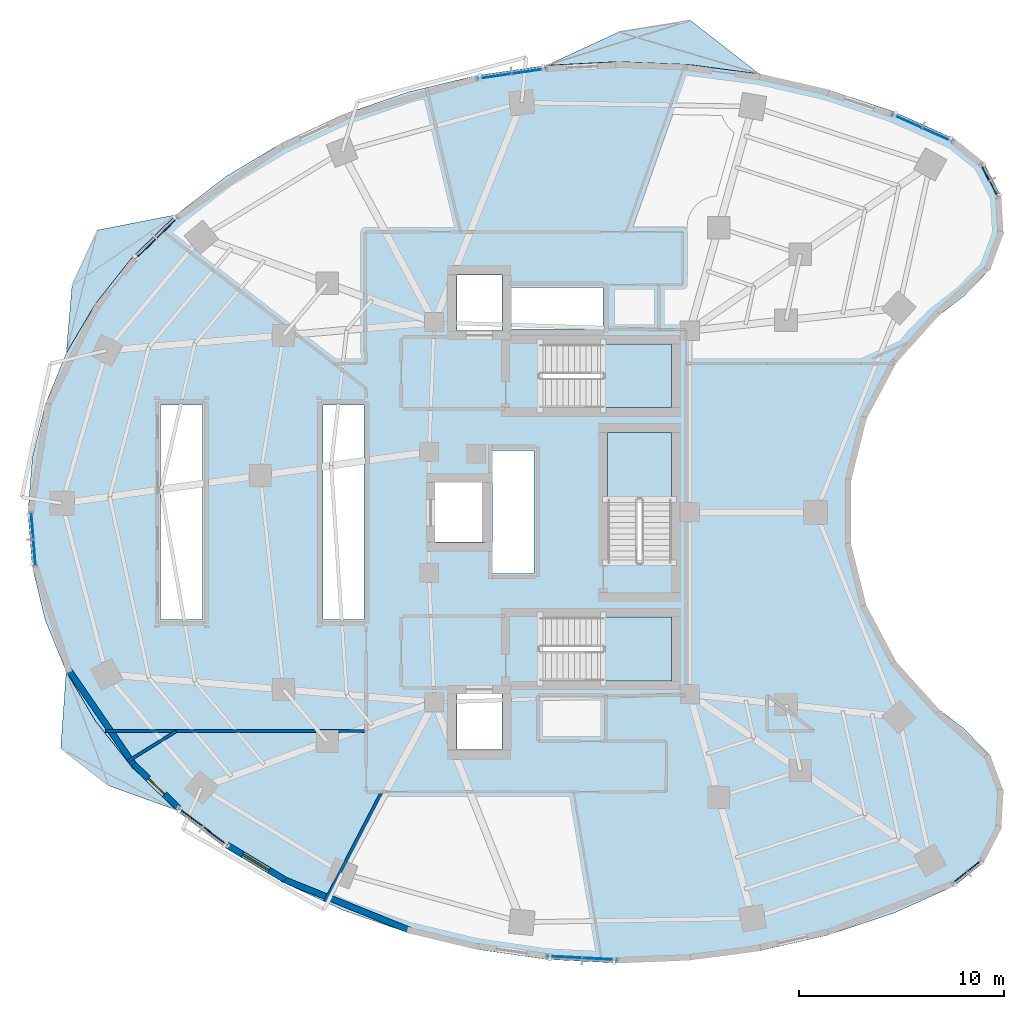
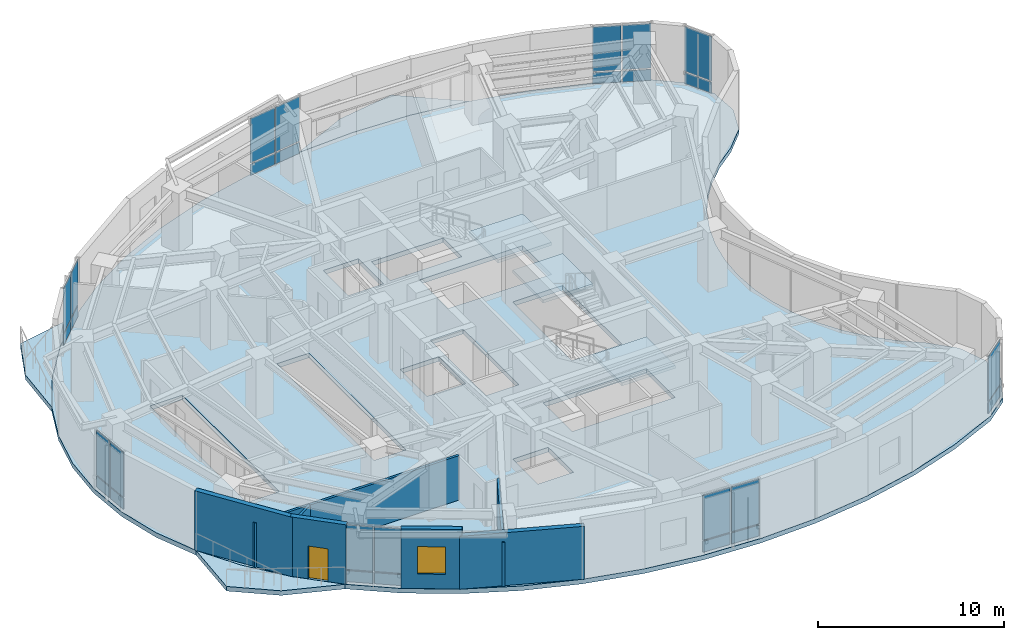
# One storey, part 7 of 14: 28 plates, 8 walls, 7 slabs, 1 door, 1 window, 2 openings, 11 elements without a shape of their own.
"""IFC4 building model written with IfcOpenShell, lengths in metres."""

from ifc_helpers import new_model, si_unit, direction, frame, frame_2d, origin, origin_2d, place, context, subcontext, project, spatial, polyline, rectangle, outline, extrude, material, layer, layer_set, type_object, element, fill, aggregate, save


model = new_model("IFC4")

# Units and contexts
model_context = context("Model", 3, precision=1e-05, world=origin(), true_north=direction((0.0, 1.0)))
body_context = subcontext(model_context, "Body", "Model", "MODEL_VIEW")
ifc_project = project(units=[si_unit("LENGTHUNIT", "METRE"), si_unit("AREAUNIT", "SQUARE_METRE"), si_unit("VOLUMEUNIT", "CUBIC_METRE"), si_unit("PLANEANGLEUNIT", "RADIAN"), si_unit("MASSUNIT", "GRAM", prefix="KILO")], contexts=[model_context])

# Site, building, storey
site_placement = place(None, origin())
site = spatial("IfcSite", under=ifc_project, at=site_placement, CompositionType="ELEMENT")
building_placement = place(site_placement, origin())
building = spatial("IfcBuilding", under=site, at=building_placement, Name="Korentha Bioscience Tower", CompositionType="ELEMENT")
storey_placement = place(building_placement, frame((0.0, 0.0, 132.0)))
storey = spatial("IfcBuildingStorey", under=building, at=storey_placement, Name="L30", CompositionType="ELEMENT", Elevation=132.0)

# Curtain wall, plates
ifc_material_1 = material(Name="Thermally Broken Aluminium Frame", Category="aluminium")
ifc_layer_1 = layer(ifc_material_1, 0.219970703125, Name="Thermally Broken Aluminium Frame")
ifc_layer_set_1 = layer_set([ifc_layer_1], Name="Thermally Broken Aluminium Frame (CW-T2)")
curtain_wall_type = type_object("IfcCurtainWallType", Name="Solar-Screened Lab Unitised Curtain Wall CW-T2", PredefinedType="USERDEFINED", material=ifc_layer_set_1)
curtain_wall_1_placement = place(storey_placement, origin())
curtain_wall_1 = element("IfcCurtainWall", 1, at=curtain_wall_1_placement, inside=storey, type_object=curtain_wall_type, Name="L30 Curtain Wall 01", ObjectType="UNITISED", PredefinedType="USERDEFINED")
ifc_material_2 = material(Name="Triple-Glazed Low-E Insulated Glass", Category="glass")
ifc_layer_2 = layer(ifc_material_2, 0.0439453125, Name="Triple-Glazed Low-E Insulated Glass")
ifc_layer_set_2 = layer_set([ifc_layer_2], Name="Triple-Glazed Low-E Insulated Glass (GL-44)")
plate_type = type_object("IfcPlateType", Name="Glazed Panel 44mm", PredefinedType="CURTAIN_PANEL", material=ifc_layer_set_2)
plate_1_placement = place(storey_placement, frame((49.61767578125, 45.385986328125, 0.08984375), z_axis=(0.0, 0.0, 1.0), x_axis=(-0.912686563127, 0.408660295952, 0.0)))
plate_1 = element("IfcPlate", 2, at=plate_1_placement, type_object=plate_type, Name="CW-L30-01 Bay 1 Glazed Panel 1", PredefinedType="CURTAIN_PANEL", context=body_context, shape_type="SweptSolid", body=[
    extrude(rectangle(XDim=1.54541015625, YDim=0.0439453125, at=origin_2d()), origin(), (0.0, 0.0, 1.0), 0.715087890625),
])
plate_2_placement = place(storey_placement, frame((49.61767578125, 45.385986328125, 0.89501953125), z_axis=(0.0, 0.0, 1.0), x_axis=(-0.912686563127, 0.408660295952, 0.0)))
plate_2 = element("IfcPlate", 3, at=plate_2_placement, type_object=plate_type, Name="CW-L30-01 Bay 1 Glazed Panel 2", PredefinedType="CURTAIN_PANEL", context=body_context, shape_type="SweptSolid", body=[
    extrude(rectangle(XDim=1.54541015625, YDim=0.0439453125, at=origin_2d()), origin(), (0.0, 0.0, 1.0), 2.9150390625),
])
plate_3_placement = place(storey_placement, frame((48.125, 46.05419921875, 0.08984375), z_axis=(0.0, 0.0, 1.0), x_axis=(-0.912686563127, 0.408660295952, 0.0)))
plate_3 = element("IfcPlate", 4, at=plate_3_placement, type_object=plate_type, Name="CW-L30-01 Bay 2 Glazed Panel 1", PredefinedType="CURTAIN_PANEL", context=body_context, shape_type="SweptSolid", body=[
    extrude(rectangle(XDim=1.54541015625, YDim=0.0439453125, at=origin_2d()), origin(), (0.0, 0.0, 1.0), 0.715087890625),
])
plate_4_placement = place(storey_placement, frame((48.125, 46.05419921875, 0.89501953125), z_axis=(0.0, 0.0, 1.0), x_axis=(-0.912686563127, 0.408660295952, 0.0)))
plate_4 = element("IfcPlate", 5, at=plate_4_placement, type_object=plate_type, Name="CW-L30-01 Bay 2 Glazed Panel 2", PredefinedType="CURTAIN_PANEL", context=body_context, shape_type="SweptSolid", body=[
    extrude(rectangle(XDim=1.54541015625, YDim=0.0439453125, at=origin_2d()), origin(), (0.0, 0.0, 1.0), 2.9150390625),
])
aggregate(curtain_wall_1, [plate_1, plate_2, plate_3, plate_4])

curtain_wall_2_placement = place(storey_placement, origin())
curtain_wall_2 = element("IfcCurtainWall", 6, at=curtain_wall_2_placement, inside=storey, type_object=curtain_wall_type, Name="L30 Curtain Wall 07", ObjectType="UNITISED", PredefinedType="USERDEFINED")
plate_5_placement = place(storey_placement, frame((29.724853515625, 48.486328125, 0.08984375), z_axis=(0.0, 0.0, 1.0), x_axis=(-0.989738282326, -0.14289203091, 0.0)))
plate_5 = element("IfcPlate", 7, at=plate_5_placement, type_object=plate_type, Name="CW-L30-07 Bay 1 Glazed Panel 1", PredefinedType="CURTAIN_PANEL", context=body_context, shape_type="SweptSolid", body=[
    extrude(rectangle(XDim=1.630615234375, YDim=0.0439453125, at=origin_2d()), origin(), (0.0, 0.0, 1.0), 0.715087890625),
])
plate_6_placement = place(storey_placement, frame((29.724853515625, 48.486328125, 0.89501953125), z_axis=(0.0, 0.0, 1.0), x_axis=(-0.989738282326, -0.14289203091, 0.0)))
plate_6 = element("IfcPlate", 8, at=plate_6_placement, type_object=plate_type, Name="CW-L30-07 Bay 1 Glazed Panel 2", PredefinedType="CURTAIN_PANEL", context=body_context, shape_type="SweptSolid", body=[
    extrude(rectangle(XDim=1.630615234375, YDim=0.0439453125, at=origin_2d()), origin(), (0.0, 0.0, 1.0), 2.9150390625),
])
plate_7_placement = place(storey_placement, frame((28.021728515625, 48.240478515625, 0.08984375), z_axis=(0.0, 0.0, 1.0), x_axis=(-0.989738282326, -0.14289203091, 0.0)))
plate_7 = element("IfcPlate", 9, at=plate_7_placement, type_object=plate_type, Name="CW-L30-07 Bay 2 Glazed Panel 1", PredefinedType="CURTAIN_PANEL", context=body_context, shape_type="SweptSolid", body=[
    extrude(rectangle(XDim=1.630615234375, YDim=0.0439453125, at=origin_2d()), origin(), (0.0, 0.0, 1.0), 0.715087890625),
])
plate_8_placement = place(storey_placement, frame((28.021728515625, 48.240478515625, 0.89501953125), z_axis=(0.0, 0.0, 1.0), x_axis=(-0.989738282326, -0.14289203091, 0.0)))
plate_8 = element("IfcPlate", 10, at=plate_8_placement, type_object=plate_type, Name="CW-L30-07 Bay 2 Glazed Panel 2", PredefinedType="CURTAIN_PANEL", context=body_context, shape_type="SweptSolid", body=[
    extrude(rectangle(XDim=1.630615234375, YDim=0.0439453125, at=origin_2d()), origin(), (0.0, 0.0, 1.0), 2.9150390625),
])
aggregate(curtain_wall_2, [plate_5, plate_6, plate_7, plate_8])

curtain_wall_3_placement = place(storey_placement, origin())
curtain_wall_3 = element("IfcCurtainWall", 11, at=curtain_wall_3_placement, inside=storey, type_object=curtain_wall_type, Name="L30 Curtain Wall 13", ObjectType="UNITISED", PredefinedType="USERDEFINED")
plate_9_placement = place(storey_placement, frame((12.09912109375, 40.858642578125, 0.08984375), z_axis=(0.0, 0.0, 1.0), x_axis=(-0.716095631804, -0.698002182025, 0.0)))
plate_9 = element("IfcPlate", 12, at=plate_9_placement, type_object=plate_type, Name="CW-L30-13 Bay 1 Glazed Panel 1", PredefinedType="CURTAIN_PANEL", context=body_context, shape_type="SweptSolid", body=[
    extrude(rectangle(XDim=1.39599609375, YDim=0.0439453125, at=origin_2d()), origin(), (0.0, 0.0, 1.0), 0.715087890625),
])
plate_10_placement = place(storey_placement, frame((12.09912109375, 40.858642578125, 0.89501953125), z_axis=(0.0, 0.0, 1.0), x_axis=(-0.716095631804, -0.698002182025, 0.0)))
plate_10 = element("IfcPlate", 13, at=plate_10_placement, type_object=plate_type, Name="CW-L30-13 Bay 1 Glazed Panel 2", PredefinedType="CURTAIN_PANEL", context=body_context, shape_type="SweptSolid", body=[
    extrude(rectangle(XDim=1.39599609375, YDim=0.0439453125, at=origin_2d()), origin(), (0.0, 0.0, 1.0), 2.9150390625),
])
plate_11_placement = place(storey_placement, frame((11.034912109375, 39.8212890625, 0.08984375), z_axis=(0.0, 0.0, 1.0), x_axis=(-0.716095631804, -0.698002182025, 0.0)))
plate_11 = element("IfcPlate", 14, at=plate_11_placement, type_object=plate_type, Name="CW-L30-13 Bay 2 Glazed Panel 1", PredefinedType="CURTAIN_PANEL", context=body_context, shape_type="SweptSolid", body=[
    extrude(rectangle(XDim=1.39599609375, YDim=0.0439453125, at=origin_2d()), origin(), (0.0, 0.0, 1.0), 0.715087890625),
])
plate_12_placement = place(storey_placement, frame((11.034912109375, 39.8212890625, 0.89501953125), z_axis=(0.0, 0.0, 1.0), x_axis=(-0.716095631804, -0.698002182025, 0.0)))
plate_12 = element("IfcPlate", 15, at=plate_12_placement, type_object=plate_type, Name="CW-L30-13 Bay 2 Glazed Panel 2", PredefinedType="CURTAIN_PANEL", context=body_context, shape_type="SweptSolid", body=[
    extrude(rectangle(XDim=1.39599609375, YDim=0.0439453125, at=origin_2d()), origin(), (0.0, 0.0, 1.0), 2.9150390625),
])
aggregate(curtain_wall_3, [plate_9, plate_10, plate_11, plate_12])

curtain_wall_4_placement = place(storey_placement, origin())
curtain_wall_4 = element("IfcCurtainWall", 16, at=curtain_wall_4_placement, inside=storey, type_object=curtain_wall_type, Name="L30 Curtain Wall 19", ObjectType="UNITISED", PredefinedType="USERDEFINED")
plate_13_placement = place(storey_placement, frame((5.52587890625, 26.35205078125, 0.08984375), z_axis=(0.0, 0.0, 1.0), x_axis=(0.079130214674, -0.996864288219, 0.0)))
plate_13 = element("IfcPlate", 17, at=plate_13_placement, type_object=plate_type, Name="CW-L30-19 Bay 1 Glazed Panel 1", PredefinedType="CURTAIN_PANEL", context=body_context, shape_type="SweptSolid", body=[
    extrude(rectangle(XDim=1.225341796875, YDim=0.0439453125, at=origin_2d()), origin(), (0.0, 0.0, 1.0), 0.715087890625),
])
plate_14_placement = place(storey_placement, frame((5.52587890625, 26.35205078125, 0.89501953125), z_axis=(0.0, 0.0, 1.0), x_axis=(0.079130214674, -0.996864288219, 0.0)))
plate_14 = element("IfcPlate", 18, at=plate_14_placement, type_object=plate_type, Name="CW-L30-19 Bay 1 Glazed Panel 2", PredefinedType="CURTAIN_PANEL", context=body_context, shape_type="SweptSolid", body=[
    extrude(rectangle(XDim=1.225341796875, YDim=0.0439453125, at=origin_2d()), origin(), (0.0, 0.0, 1.0), 2.9150390625),
])
plate_15_placement = place(storey_placement, frame((5.6298828125, 25.040771484375, 0.08984375), z_axis=(0.0, 0.0, 1.0), x_axis=(0.079130214674, -0.996864288219, 0.0)))
plate_15 = element("IfcPlate", 19, at=plate_15_placement, type_object=plate_type, Name="CW-L30-19 Bay 2 Glazed Panel 1", PredefinedType="CURTAIN_PANEL", context=body_context, shape_type="SweptSolid", body=[
    extrude(rectangle(XDim=1.225341796875, YDim=0.0439453125, at=origin_2d()), origin(), (0.0, 0.0, 1.0), 0.715087890625),
])
plate_16_placement = place(storey_placement, frame((5.6298828125, 25.040771484375, 0.89501953125), z_axis=(0.0, 0.0, 1.0), x_axis=(0.079130214674, -0.996864288219, 0.0)))
plate_16 = element("IfcPlate", 20, at=plate_16_placement, type_object=plate_type, Name="CW-L30-19 Bay 2 Glazed Panel 2", PredefinedType="CURTAIN_PANEL", context=body_context, shape_type="SweptSolid", body=[
    extrude(rectangle(XDim=1.225341796875, YDim=0.0439453125, at=origin_2d()), origin(), (0.0, 0.0, 1.0), 2.9150390625),
])
aggregate(curtain_wall_4, [plate_13, plate_14, plate_15, plate_16])

curtain_wall_5_placement = place(storey_placement, origin())
curtain_wall_5 = element("IfcCurtainWall", 21, at=curtain_wall_5_placement, inside=storey, type_object=curtain_wall_type, Name="L30 Curtain Wall 25", ObjectType="UNITISED", PredefinedType="USERDEFINED")
plate_17_placement = place(storey_placement, frame((13.234619140625, 12.162353515625, 0.08984375), z_axis=(0.0, 0.0, 1.0), x_axis=(0.794499603893, -0.607264669986, 0.0)))
plate_17 = element("IfcPlate", 22, at=plate_17_placement, type_object=plate_type, Name="CW-L30-25 Bay 1 Glazed Panel 1", PredefinedType="CURTAIN_PANEL", context=body_context, shape_type="SweptSolid", body=[
    extrude(rectangle(XDim=1.4462890625, YDim=0.0439453125, at=origin_2d()), origin(), (0.0, 0.0, 1.0), 0.715087890625),
])
plate_18_placement = place(storey_placement, frame((13.234619140625, 12.162353515625, 0.89501953125), z_axis=(0.0, 0.0, 1.0), x_axis=(0.794499603893, -0.607264669986, 0.0)))
plate_18 = element("IfcPlate", 23, at=plate_18_placement, type_object=plate_type, Name="CW-L30-25 Bay 1 Glazed Panel 2", PredefinedType="CURTAIN_PANEL", context=body_context, shape_type="SweptSolid", body=[
    extrude(rectangle(XDim=1.4462890625, YDim=0.0439453125, at=origin_2d()), origin(), (0.0, 0.0, 1.0), 2.9150390625),
])
plate_19_placement = place(storey_placement, frame((14.455078125, 11.229248046875, 0.08984375), z_axis=(0.0, 0.0, 1.0), x_axis=(0.794499603893, -0.607264669986, 0.0)))
plate_19 = element("IfcPlate", 24, at=plate_19_placement, type_object=plate_type, Name="CW-L30-25 Bay 2 Glazed Panel 1", PredefinedType="CURTAIN_PANEL", context=body_context, shape_type="SweptSolid", body=[
    extrude(rectangle(XDim=1.4462890625, YDim=0.0439453125, at=origin_2d()), origin(), (0.0, 0.0, 1.0), 0.715087890625),
])
plate_20_placement = place(storey_placement, frame((14.455078125, 11.229248046875, 0.89501953125), z_axis=(0.0, 0.0, 1.0), x_axis=(0.794499603893, -0.607264669986, 0.0)))
plate_20 = element("IfcPlate", 25, at=plate_20_placement, type_object=plate_type, Name="CW-L30-25 Bay 2 Glazed Panel 2", PredefinedType="CURTAIN_PANEL", context=body_context, shape_type="SweptSolid", body=[
    extrude(rectangle(XDim=1.4462890625, YDim=0.0439453125, at=origin_2d()), origin(), (0.0, 0.0, 1.0), 2.9150390625),
])
aggregate(curtain_wall_5, [plate_17, plate_18, plate_19, plate_20])

curtain_wall_6_placement = place(storey_placement, origin())
curtain_wall_6 = element("IfcCurtainWall", 26, at=curtain_wall_6_placement, inside=storey, type_object=curtain_wall_type, Name="L30 Curtain Wall 31", ObjectType="UNITISED", PredefinedType="USERDEFINED")
plate_21_placement = place(storey_placement, frame((31.436279296875, 5.346435546875, 0.08984375), z_axis=(0.0, 0.0, 1.0), x_axis=(0.998673231344, -0.051495407527, 0.0)))
plate_21 = element("IfcPlate", 27, at=plate_21_placement, type_object=plate_type, Name="CW-L30-31 Bay 1 Glazed Panel 1", PredefinedType="CURTAIN_PANEL", context=body_context, shape_type="SweptSolid", body=[
    extrude(rectangle(XDim=1.641845703125, YDim=0.0439453125, at=origin_2d()), origin(), (0.0, 0.0, 1.0), 0.715087890625),
])
plate_22_placement = place(storey_placement, frame((31.436279296875, 5.346435546875, 0.89501953125), z_axis=(0.0, 0.0, 1.0), x_axis=(0.998673231344, -0.051495407527, 0.0)))
plate_22 = element("IfcPlate", 28, at=plate_22_placement, type_object=plate_type, Name="CW-L30-31 Bay 1 Glazed Panel 2", PredefinedType="CURTAIN_PANEL", context=body_context, shape_type="SweptSolid", body=[
    extrude(rectangle(XDim=1.641845703125, YDim=0.0439453125, at=origin_2d()), origin(), (0.0, 0.0, 1.0), 2.9150390625),
])
plate_23_placement = place(storey_placement, frame((33.166015625, 5.25732421875, 0.08984375), z_axis=(0.0, 0.0, 1.0), x_axis=(0.998673231344, -0.051495407527, 0.0)))
plate_23 = element("IfcPlate", 29, at=plate_23_placement, type_object=plate_type, Name="CW-L30-31 Bay 2 Glazed Panel 1", PredefinedType="CURTAIN_PANEL", context=body_context, shape_type="SweptSolid", body=[
    extrude(rectangle(XDim=1.641845703125, YDim=0.0439453125, at=origin_2d()), origin(), (0.0, 0.0, 1.0), 0.715087890625),
])
plate_24_placement = place(storey_placement, frame((33.166015625, 5.25732421875, 0.89501953125), z_axis=(0.0, 0.0, 1.0), x_axis=(0.998673231344, -0.051495407527, 0.0)))
plate_24 = element("IfcPlate", 30, at=plate_24_placement, type_object=plate_type, Name="CW-L30-31 Bay 2 Glazed Panel 2", PredefinedType="CURTAIN_PANEL", context=body_context, shape_type="SweptSolid", body=[
    extrude(rectangle(XDim=1.641845703125, YDim=0.0439453125, at=origin_2d()), origin(), (0.0, 0.0, 1.0), 2.9150390625),
])
aggregate(curtain_wall_6, [plate_21, plate_22, plate_23, plate_24])

curtain_wall_7_placement = place(storey_placement, origin())
curtain_wall_7 = element("IfcCurtainWall", 31, at=curtain_wall_7_placement, inside=storey, type_object=curtain_wall_type, Name="L30 Curtain Wall 37", ObjectType="UNITISED", PredefinedType="USERDEFINED")
plate_25_placement = place(storey_placement, frame((51.04736328125, 9.506591796875, 0.08984375), z_axis=(0.0, 0.0, 1.0), x_axis=(0.777315301098, 0.629111216463, 0.0)))
plate_25 = element("IfcPlate", 32, at=plate_25_placement, type_object=plate_type, Name="CW-L30-37 Bay 1 Glazed Panel 1", PredefinedType="CURTAIN_PANEL", context=body_context, shape_type="SweptSolid", body=[
    extrude(rectangle(XDim=1.737548828125, YDim=0.0439453125, at=origin_2d()), origin(), (0.0, 0.0, 1.0), 0.715087890625),
])
plate_26_placement = place(storey_placement, frame((51.04736328125, 9.506591796875, 0.89501953125), z_axis=(0.0, 0.0, 1.0), x_axis=(0.777315301098, 0.629111216463, 0.0)))
plate_26 = element("IfcPlate", 33, at=plate_26_placement, type_object=plate_type, Name="CW-L30-37 Bay 1 Glazed Panel 2", PredefinedType="CURTAIN_PANEL", context=body_context, shape_type="SweptSolid", body=[
    extrude(rectangle(XDim=1.737548828125, YDim=0.0439453125, at=origin_2d()), origin(), (0.0, 0.0, 1.0), 2.9150390625),
])
aggregate(curtain_wall_7, [plate_25, plate_26])

curtain_wall_8_placement = place(storey_placement, origin())
curtain_wall_8 = element("IfcCurtainWall", 34, at=curtain_wall_8_placement, inside=storey, type_object=curtain_wall_type, Name="L30 Curtain Wall 61", ObjectType="UNITISED", PredefinedType="USERDEFINED")
plate_27_placement = place(storey_placement, frame((52.140380859375, 43.149658203125, 0.08984375), z_axis=(0.0, 0.0, 1.0), x_axis=(-0.457613117169, 0.889151412862, 0.0)))
plate_27 = element("IfcPlate", 35, at=plate_27_placement, type_object=plate_type, Name="CW-L30-61 Bay 1 Glazed Panel 1", PredefinedType="CURTAIN_PANEL", context=body_context, shape_type="SweptSolid", body=[
    extrude(rectangle(XDim=1.737548828125, YDim=0.0439453125, at=origin_2d()), origin(), (0.0, 0.0, 1.0), 0.715087890625),
])
plate_28_placement = place(storey_placement, frame((52.140380859375, 43.149658203125, 0.89501953125), z_axis=(0.0, 0.0, 1.0), x_axis=(-0.457613117169, 0.889151412862, 0.0)))
plate_28 = element("IfcPlate", 36, at=plate_28_placement, type_object=plate_type, Name="CW-L30-61 Bay 1 Glazed Panel 2", PredefinedType="CURTAIN_PANEL", context=body_context, shape_type="SweptSolid", body=[
    extrude(rectangle(XDim=1.737548828125, YDim=0.0439453125, at=origin_2d()), origin(), (0.0, 0.0, 1.0), 2.9150390625),
])
aggregate(curtain_wall_8, [plate_27, plate_28])

# Slab
ifc_material_3 = material(Name="Concrete C50", Category="concrete")
ifc_layer_3 = layer(ifc_material_3, 0.300048828125, Name="Concrete C50")
ifc_layer_set_3 = layer_set([ifc_layer_3], Name="Concrete C50 (SL-L300)")
slab_type_1 = type_object("IfcSlabType", Name="Laboratory Vibration-Controlled Slab 300", PredefinedType="FLOOR", material=ifc_layer_set_3)
slab_1_placement = place(storey_placement, frame((0.0, 0.0, -0.300048828125)))
element("IfcSlab", 37, at=slab_1_placement, inside=storey, type_object=slab_type_1, Name="L30 Tower Structural Floor Slab", PredefinedType="FLOOR", context=body_context, shape_type="SweptSolid", body=[
    extrude(outline(polyline([(50.433837890625, 45.19580078125), (47.439697265625, 46.53662109375), (44.2548828125, 47.59521484375), (40.925537109375, 48.3564453125), (37.5, 48.809326171875), (34.027587890625, 48.947265625), (30.558349609375, 48.7685546875), (27.142333984375, 48.275390625), (23.8291015625, 47.474853515625), (20.66650390625, 46.37890625), (17.69970703125, 45.003173828125), (14.972412109375, 43.367431640625), (12.52294921875, 41.495361328125), (10.3876953125, 39.413818359375), (8.5966796875, 37.1533203125), (7.17626953125, 34.74609375), (6.146484375, 32.22705078125), (5.52294921875, 29.632568359375), (5.31396484375, 27.0), (5.52294921875, 24.367431640625), (6.146484375, 21.77294921875), (7.17626953125, 19.25390625), (8.5966796875, 16.8466796875), (10.3876953125, 14.586181640625), (12.52294921875, 12.504638671875), (14.972412109375, 10.632568359375), (17.69970703125, 8.996826171875), (20.66650390625, 7.62109375), (23.8291015625, 6.525146484375), (27.142333984375, 5.724609375), (30.558349609375, 5.2314453125), (34.027587890625, 5.052734375), (37.5, 5.190673828125), (40.925537109375, 5.6435546875), (44.2548828125, 6.40478515625), (47.439697265625, 7.46337890625), (50.433837890625, 8.80419921875), (51.8623046875, 9.960205078125), (52.703125, 11.593994140625), (52.813720703125, 13.42822265625), (52.175537109375, 15.1513671875), (50.896484375, 16.470703125), (49.666259765625, 17.414794921875), (48.560302734375, 18.501708984375), (47.594970703125, 19.715087890625), (46.78466796875, 21.037353515625), (46.1416015625, 22.448486328125), (45.67529296875, 23.927490234375), (45.392578125, 25.4521484375), (45.298095703125, 27.0), (45.392578125, 28.5478515625), (45.67529296875, 30.072509765625), (46.1416015625, 31.551513671875), (46.78466796875, 32.962646484375), (47.594970703125, 34.284912109375), (48.560302734375, 35.498291015625), (49.666259765625, 36.585205078125), (50.896484375, 37.529296875), (52.175537109375, 38.8486328125), (52.813720703125, 40.57177734375), (52.703125, 42.406005859375), (51.8623046875, 44.039794921875), (50.433837890625, 45.19580078125)]), holes=[polyline([(30.25, 32.10009765625), (36.64990234375, 32.10009765625), (36.64990234375, 35.199951171875), (30.25, 35.199951171875), (30.25, 32.10009765625)]), polyline([(30.25, 18.800048828125), (36.64990234375, 18.800048828125), (36.64990234375, 21.89990234375), (30.25, 21.89990234375), (30.25, 18.800048828125)]), polyline([(36.64990234375, 24.550048828125), (36.64990234375, 30.89990234375), (33.550048828125, 30.89990234375), (33.550048828125, 24.550048828125), (36.64990234375, 24.550048828125)]), polyline([(11.780029296875, 21.780029296875), (13.820068359375, 21.780029296875), (13.820068359375, 32.219970703125), (11.780029296875, 32.219970703125), (11.780029296875, 21.780029296875)]), polyline([(19.679931640625, 21.780029296875), (21.669921875, 21.780029296875), (21.669921875, 32.219970703125), (19.679931640625, 32.219970703125), (19.679931640625, 21.780029296875)]), polyline([(27.929931640625, 24.030029296875), (29.969970703125, 24.030029296875), (29.969970703125, 30.02001953125), (27.929931640625, 30.02001953125), (27.929931640625, 24.030029296875)]), polyline([(28.860107421875, 35.93994140625), (33.31005859375, 35.93994140625), (33.31005859375, 37.9599609375), (28.860107421875, 37.9599609375), (28.860107421875, 35.93994140625)]), polyline([(26.199951171875, 15.449951171875), (28.39990234375, 15.449951171875), (28.39990234375, 18.14990234375), (26.199951171875, 18.14990234375), (26.199951171875, 15.449951171875)]), polyline([(26.199951171875, 35.85009765625), (28.39990234375, 35.85009765625), (28.39990234375, 38.550048828125), (26.199951171875, 38.550048828125), (26.199951171875, 35.85009765625)]), polyline([(25.14990234375, 25.550048828125), (27.550048828125, 25.550048828125), (27.550048828125, 28.449951171875), (25.14990234375, 28.449951171875), (25.14990234375, 25.550048828125)])]), origin(), (0.0, 0.0, 1.0), 0.300048828125),
])

# Stair, slab
ifc_material_4 = material(Name="Precast Concrete C50", Category="concrete")
stair_type = type_object("IfcStairType", Name="Core Exit Dog-Leg Stair 1450", PredefinedType="HALF_TURN_STAIR", material=ifc_material_4)
stair_1_placement = place(storey_placement, origin())
stair_1 = element("IfcStair", 38, at=stair_1_placement, inside=storey, type_object=stair_type, Name="L30 Tower North Pressurized Exit Stair ST-1", PredefinedType="HALF_TURN_STAIR")
ifc_layer_4 = layer(ifc_material_3, 0.199951171875, Name="Concrete C50")
ifc_layer_set_4 = layer_set([ifc_layer_4], Name="Concrete C50 (SL-LND)")
slab_type_2 = type_object("IfcSlabType", Name="Landing Slab 200", PredefinedType="LANDING", material=ifc_layer_set_4)
slab_2_placement = place(storey_placement, frame((0.0, 0.0, 1.89990234375)))
slab_2 = element("IfcSlab", 39, at=slab_2_placement, type_object=slab_type_2, Name="ST-1 landing 1", PredefinedType="LANDING", context=body_context, shape_type="SweptSolid", body=[
    extrude(outline(polyline([(33.330078125, 32.10009765625), (36.64990234375, 32.10009765625), (36.64990234375, 35.199951171875), (33.330078125, 35.199951171875), (33.330078125, 32.10009765625)])), origin(), (0.0, 0.0, 1.0), 0.2001953125),
])
aggregate(stair_1, [slab_2])

stair_2_placement = place(storey_placement, origin())
stair_2 = element("IfcStair", 40, at=stair_2_placement, inside=storey, type_object=stair_type, Name="L30 Tower South Pressurized Exit Stair ST-2", PredefinedType="HALF_TURN_STAIR")
slab_3_placement = place(storey_placement, frame((0.0, 0.0, 1.89990234375)))
slab_3 = element("IfcSlab", 41, at=slab_3_placement, type_object=slab_type_2, Name="ST-2 landing 1", PredefinedType="LANDING", context=body_context, shape_type="SweptSolid", body=[
    extrude(outline(polyline([(33.330078125, 18.800048828125), (36.64990234375, 18.800048828125), (36.64990234375, 21.89990234375), (33.330078125, 21.89990234375), (33.330078125, 18.800048828125)])), origin(), (0.0, 0.0, 1.0), 0.2001953125),
])
aggregate(stair_2, [slab_3])

stair_3_placement = place(storey_placement, origin())
stair_3 = element("IfcStair", 42, at=stair_3_placement, inside=storey, type_object=stair_type, Name="L30 Tower Central Pressurized Exit Stair ST-3", PredefinedType="HALF_TURN_STAIR")
slab_4_placement = place(storey_placement, frame((0.0, 0.0, 1.89990234375)))
slab_4 = element("IfcSlab", 43, at=slab_4_placement, type_object=slab_type_2, Name="ST-3 landing 1", PredefinedType="LANDING", context=body_context, shape_type="SweptSolid", body=[
    extrude(outline(polyline([(36.64990234375, 27.6298828125), (36.64990234375, 30.89990234375), (33.550048828125, 30.89990234375), (33.550048828125, 27.6298828125), (36.64990234375, 27.6298828125)])), origin(), (0.0, 0.0, 1.0), 0.2001953125),
])
aggregate(stair_3, [slab_4])

# Slabs
ifc_layer_5 = layer(ifc_material_3, 0.300048828125, Name="Concrete C50")
ifc_layer_set_5 = layer_set([ifc_layer_5], Name="Concrete C50 (BS-240)")
slab_type_3 = type_object("IfcSlabType", Name="Sawtooth Sun-Ledge Balcony Slab 240", PredefinedType="USERDEFINED", material=ifc_layer_set_5)
slab_5_placement = place(storey_placement, frame((0.0, 0.0, -0.300048828125)))
element("IfcSlab", 44, at=slab_5_placement, inside=storey, type_object=slab_type_3, Name="L30 Sun-Ledge Balcony 01", ObjectType="BALCONY", PredefinedType="USERDEFINED", context=body_context, shape_type="SweptSolid", body=[
    extrude(outline(polyline([(30.558349609375, 48.7685546875), (34.027587890625, 48.947265625), (37.5, 48.809326171875), (40.925537109375, 48.3564453125), (37.58544921875, 50.95751953125), (34.085205078125, 50.396240234375), (30.558349609375, 48.7685546875)])), origin(), (0.0, 0.0, 1.0), 0.300048828125),
])
slab_6_placement = place(storey_placement, frame((0.0, 0.0, -0.300048828125)))
element("IfcSlab", 45, at=slab_6_placement, inside=storey, type_object=slab_type_3, Name="L30 Sun-Ledge Balcony 02", ObjectType="BALCONY", PredefinedType="USERDEFINED", context=body_context, shape_type="SweptSolid", body=[
    extrude(outline(polyline([(7.17626953125, 34.74609375), (8.5966796875, 37.1533203125), (10.3876953125, 39.413818359375), (12.52294921875, 41.495361328125), (8.702392578125, 40.7490234375), (7.4599609375, 38.0537109375), (7.17626953125, 34.74609375)])), origin(), (0.0, 0.0, 1.0), 0.300048828125),
])
slab_7_placement = place(storey_placement, frame((0.0, 0.0, -0.300048828125)))
element("IfcSlab", 46, at=slab_7_placement, inside=storey, type_object=slab_type_3, Name="L30 Sun-Ledge Balcony 03", ObjectType="BALCONY", PredefinedType="USERDEFINED", context=body_context, shape_type="SweptSolid", body=[
    extrude(outline(polyline([(12.52294921875, 12.504638671875), (10.3876953125, 14.586181640625), (8.5966796875, 16.8466796875), (7.17626953125, 19.25390625), (6.911376953125, 15.51171875), (9.2509765625, 13.685791015625), (12.52294921875, 12.504638671875)])), origin(), (0.0, 0.0, 1.0), 0.300048828125),
])

# Walls
ifc_material_5 = material(Name="Double-Stud Acoustic Gypsum", Category="gypsum")
ifc_layer_6 = layer(ifc_material_5, 0.14990234375, Name="Double-Stud Acoustic Gypsum")
ifc_layer_set_6 = layer_set([ifc_layer_6], Name="Double-Stud Acoustic Gypsum (IW-L150)")
wall_type_1 = type_object("IfcWallType", Name="Acoustic Laboratory Partition Wall 150", PredefinedType="PARTITIONING", material=ifc_layer_set_6)
wall_1_placement = place(storey_placement, frame((21.7900390625, 16.35205078125, 0.0), z_axis=(0.0, 0.0, 1.0), x_axis=(-1.0, 0.0, 0.0)))
element("IfcWall", 47, at=wall_1_placement, inside=storey, type_object=wall_type_1, Name="L30 Interior Partition 020", PredefinedType="PARTITIONING", context=body_context, shape_type="SweptSolid", body=[
    extrude(rectangle(XDim=9.242919921875, YDim=0.14990234375, at=frame_2d((4.62158203125, 0.0))), origin(), (0.0, 0.0, 1.0), 2.909912109375),
])
wall_2_placement = place(storey_placement, frame((12.539306640625, 16.35205078125, 0.0), z_axis=(0.0, 0.0, 1.0), x_axis=(-1.0, 0.0, 0.0)))
element("IfcWall", 48, at=wall_2_placement, inside=storey, type_object=wall_type_1, Name="L30 Interior Partition 021", PredefinedType="PARTITIONING", context=body_context, shape_type="SweptSolid", body=[
    extrude(rectangle(XDim=3.45068359375, YDim=0.14990234375, at=frame_2d((1.725341796875, 0.0))), origin(), (0.0, 0.0, 1.0), 2.909912109375),
])
wall_3_placement = place(storey_placement, frame((10.184326171875, 14.877685546875, 0.0), z_axis=(0.0, 0.0, 1.0), x_axis=(0.848374938895, 0.529395847221, 0.0)))
element("IfcWall", 49, at=wall_3_placement, inside=storey, type_object=wall_type_1, Name="L30 Interior Partition 026", PredefinedType="PARTITIONING", context=body_context, shape_type="SweptSolid", body=[
    extrude(rectangle(XDim=2.76611328125, YDim=0.14990234375, at=frame_2d((1.383056640625, 0.0))), origin(), (0.0, 0.0, 1.0), 2.909912109375),
])
wall_4_placement = place(storey_placement, frame((22.548095703125, 13.389892578125, 0.0), z_axis=(0.0, 0.0, 1.0), x_axis=(-0.460357473993, -0.887733629046, 0.0)))
element("IfcWall", 50, at=wall_4_placement, inside=storey, type_object=wall_type_1, Name="L30 Interior Partition 028", PredefinedType="PARTITIONING", context=body_context, shape_type="SweptSolid", body=[
    extrude(rectangle(XDim=6.0107421875, YDim=0.14990234375, at=frame_2d((3.00537109375, 0.0))), origin(), (0.0, 0.0, 1.0), 2.909912109375),
])

# Wall, opening, door
ifc_material_6 = material(Name="Honed Limestone Precast Concrete C40", Category="masonry")
ifc_layer_7 = layer(ifc_material_6, 0.300048828125, Name="Honed Limestone Precast Concrete C40")
ifc_layer_set_7 = layer_set([ifc_layer_7], Name="Honed Limestone Precast Concrete C40 (EW-ST300)")
wall_type_2 = type_object("IfcWallType", Name="Honed Limestone Cavity Spandrel Wall 300", PredefinedType="STANDARD", material=ifc_layer_set_7)
wall_5_placement = place(storey_placement, frame((10.456298828125, 14.74267578125, 0.0), z_axis=(0.0, 0.0, 1.0), x_axis=(0.716099460419, -0.697998254144, 0.0)))
wall_5 = element("IfcWall", 51, at=wall_5_placement, inside=storey, type_object=wall_type_2, Name="L30 Balcony Threshold Wall 03", PredefinedType="STANDARD", context=body_context, shape_type="SweptSolid", body=[
    extrude(rectangle(XDim=3.10205078125, YDim=0.300048828125, at=frame_2d((1.551025390625, 0.0))), origin(), (0.0, 0.0, 1.0), 3.89990234375),
])
opening_1_placement = place(wall_5_placement, frame((1.0009765625, 0.0, 0.0)))
opening_1 = element("IfcOpeningElement", 52, at=opening_1_placement, cuts=wall_5, Name="Opening BD-11L", PredefinedType="OPENING", context=body_context, shape_type="SweptSolid", body=[
    extrude(rectangle(XDim=1.10009765625, YDim=2.14990234375, at=frame_2d((0.550048828125, 1.074951171875))), frame((0.0, 0.1650390625, 0.0), z_axis=(0.0, -1.0, 0.0), x_axis=(1.0, 0.0, 0.0)), (0.0, 0.0, 1.0), 0.329833984375),
])
ifc_material_7 = material(Name="Thermally Broken Glazed Aluminium", Category="aluminium")
door_type = type_object("IfcDoorType", Name="Balcony Terrace Glazed Door 1100x2150 Left", OperationType="SINGLE_SWING_LEFT", PredefinedType="DOOR", material=ifc_material_7)
door_placement = place(opening_1_placement, origin())
door = element("IfcDoor", 53, at=door_placement, inside=storey, type_object=door_type, Name="L30 Balcony Access Door 03", OperationType="SINGLE_SWING_LEFT", OverallHeight=2.14990234375, OverallWidth=1.10009765625, PredefinedType="DOOR", context=body_context, shape_type="SweptSolid", body=[
    extrude(rectangle(XDim=1.10009765625, YDim=2.14990234375, at=frame_2d((0.550048828125, 1.074951171875))), frame((0.0, 0.02490234375, 0.0), z_axis=(0.0, -1.0, 0.0), x_axis=(1.0, 0.0, 0.0)), (0.0, 0.0, 1.0), 0.050048828125),
])
fill(opening_1, door)

# Wall, opening, window
wall_6_placement = place(storey_placement, frame((15.003173828125, 10.80078125, 0.0), z_axis=(0.0, 0.0, 1.0), x_axis=(0.85758429223, -0.514343447242, 0.0)))
wall_6 = element("IfcWall", 54, at=wall_6_placement, inside=storey, type_object=wall_type_2, Name="L30 Honed Limestone Spandrel Wall 26", PredefinedType="STANDARD", context=body_context, shape_type="SweptSolid", body=[
    extrude(rectangle(XDim=3.30029296875, YDim=0.300048828125, at=frame_2d((1.650146484375, 0.0))), origin(), (0.0, 0.0, 1.0), 3.89990234375),
])
opening_2_placement = place(wall_6_placement, frame((0.900146484375, 0.0, 0.949951171875)))
opening_2 = element("IfcOpeningElement", 55, at=opening_2_placement, cuts=wall_6, Name="Opening WN-02", PredefinedType="OPENING", context=body_context, shape_type="SweptSolid", body=[
    extrude(rectangle(XDim=1.5, YDim=1.800048828125, at=frame_2d((0.75, 0.89990234375))), frame((0.0, 0.1650390625, 0.0), z_axis=(0.0, -1.0, 0.0), x_axis=(1.0, 0.0, 0.0)), (0.0, 0.0, 1.0), 0.329833984375),
])
ifc_material_8 = material(Name="Thermally Broken Aluminium Triple Glazing", Category="aluminium")
window_type = type_object("IfcWindowType", Name="Acoustic Operable Office Window 1500x1800", PartitioningType="DOUBLE_PANEL_VERTICAL", PredefinedType="WINDOW", material=ifc_material_8)
window_placement = place(opening_2_placement, origin())
window = element("IfcWindow", 56, at=window_placement, inside=storey, type_object=window_type, Name="L30 Facade Window 26", OverallHeight=1.800048828125, OverallWidth=1.5, PartitioningType="DOUBLE_PANEL_VERTICAL", PredefinedType="WINDOW", context=body_context, shape_type="SweptSolid", body=[
    extrude(rectangle(XDim=1.5, YDim=1.800048828125, at=frame_2d((0.75, 0.89990234375))), frame((0.0, 0.030029296875, 0.0), z_axis=(0.0, -1.0, 0.0), x_axis=(1.0, 0.0, 0.0)), (0.0, 0.0, 1.0), 0.06005859375),
])
fill(opening_2, window)

# Walls
wall_7_placement = place(storey_placement, frame((7.24609375, 19.399169921875, 0.0), z_axis=(0.0, 0.0, 1.0), x_axis=(0.566825798999, -0.823837674296, 0.0)))
element("IfcWall", 57, at=wall_7_placement, inside=storey, type_object=wall_type_2, Name="L30 Limestone Perimeter Closure Wall 22", PredefinedType="STANDARD", context=body_context, shape_type="SweptSolid", body=[
    extrude(rectangle(XDim=5.825927734375, YDim=0.300048828125, at=frame_2d((2.9130859375, 0.0))), origin(), (0.0, 0.0, 1.0), 3.89990234375),
])
wall_8_placement = place(storey_placement, frame((17.677978515625, 9.15673828125, 0.0), z_axis=(0.0, 0.0, 1.0), x_axis=(0.927423312416, -0.374013368194, 0.0)))
element("IfcWall", 58, at=wall_8_placement, inside=storey, type_object=wall_type_2, Name="L30 Limestone Perimeter Closure Wall 27", PredefinedType="STANDARD", context=body_context, shape_type="SweptSolid", body=[
    extrude(rectangle(XDim=6.76904296875, YDim=0.300048828125, at=frame_2d((3.384521484375, 0.0))), origin(), (0.0, 0.0, 1.0), 3.469970703125),
])

save(model, "model.ifc")
